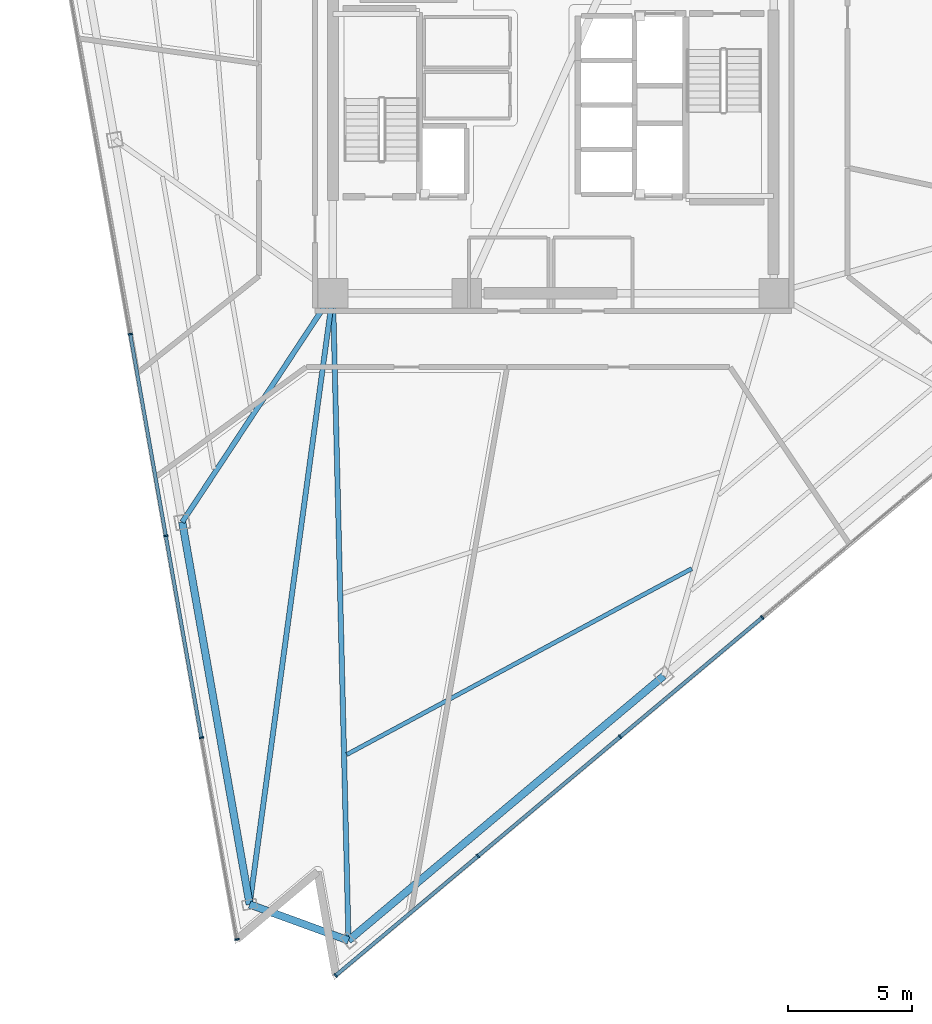
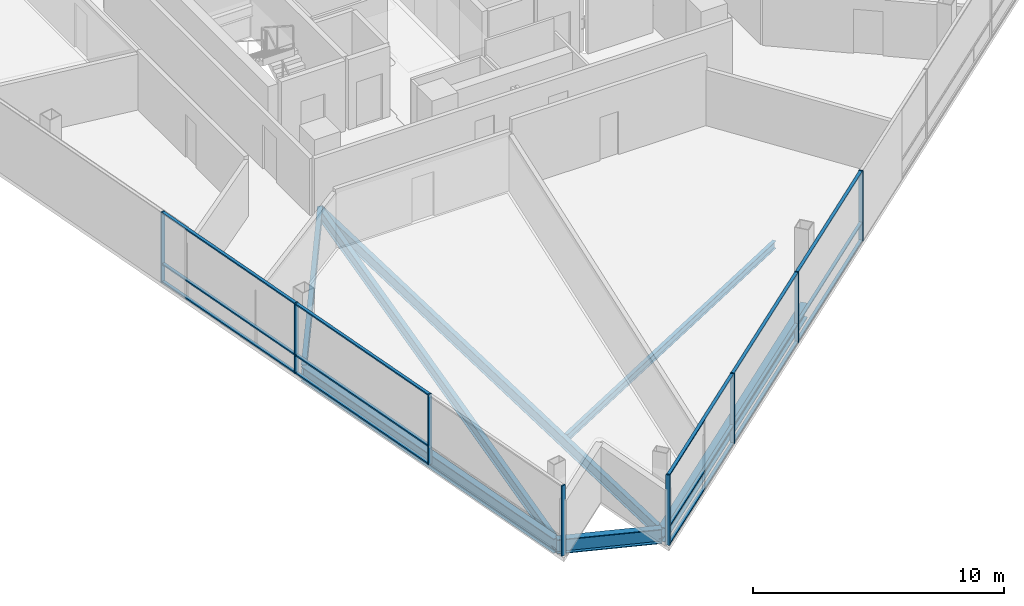
# One storey, part 2 of 16: 23 members, 7 beams, 2 elements without a shape of their own.
"""IFC4 building model written with IfcOpenShell, lengths in metres."""

import ifcopenshell
import ifcopenshell.guid

model = None  # the IFC model being written
_history = None  # IfcOwnerHistory: only IFC2X3 demands one
_inside = {}  # id of a spatial element -> (the spatial element, [elements in it])
_under = {}  # id of a project, library or spatial element -> (it, [spatial elements below it])
_declared = {}  # id of a project -> (the project, [libraries it declares])
_typed = {}  # id of a type object -> (the type object, [elements of that type])
_made_of = {}  # id of a material, layer set ... -> (it, [elements and type objects made of it])


def new_model(schema):
    """Start an empty IFC model of exactly this schema.

    Asked for "IFC4X3", IfcOpenShell would pick the latest addendum, in which some entities
    have other attributes; the version numbers below select the first issue.
    IFC2X3 requires an IfcOwnerHistory on every rooted entity: one is made here for all.
    """
    global model, _history
    if schema == "IFC4X3":
        model = ifcopenshell.file(schema_version=(4, 3, 0, 0))
    else:
        model = ifcopenshell.file(schema=schema)
    _inside.clear()
    _under.clear()
    _declared.clear()
    _typed.clear()
    _made_of.clear()
    _history = None
    if model.schema == "IFC2X3":
        org = make("IfcOrganization", Name="unknown")
        user = make(
            "IfcPersonAndOrganization",
            ThePerson=make("IfcPerson", FamilyName="unknown"),
            TheOrganization=org,
        )
        app = make(
            "IfcApplication",
            ApplicationDeveloper=org,
            Version="unknown",
            ApplicationFullName="unknown",
            ApplicationIdentifier="unknown",
        )
        _history = make(
            "IfcOwnerHistory",
            OwningUser=user,
            OwningApplication=app,
            ChangeAction="ADDED",
            CreationDate=0,
        )
    return model


def make(cls, **values):
    """One entity of the class cls with the attributes given. An attribute that is None is left unset."""
    return model.create_entity(
        cls, **{name: value for name, value in values.items() if value is not None}
    )


def rooted(cls, **values):
    """An entity with a GlobalId (a new one), such as an element, a storey or a relation."""
    return make(cls, GlobalId=ifcopenshell.guid.new(), OwnerHistory=_history, **values)


def si_unit(unit_type, name, prefix=None):
    """IfcSIUnit, for example si_unit("LENGTHUNIT", "METRE", prefix="MILLI")."""
    return make("IfcSIUnit", UnitType=unit_type, Prefix=prefix, Name=name)


def assignment(units):
    """IfcUnitAssignment: the units of a project."""
    return None if units is None else make("IfcUnitAssignment", Units=units)


def point(xyz):
    """IfcCartesianPoint."""
    return None if xyz is None else make("IfcCartesianPoint", Coordinates=xyz)


def direction(xyz):
    """IfcDirection."""
    return None if xyz is None else make("IfcDirection", DirectionRatios=xyz)


def frame(location, z_axis=None, x_axis=None):
    """IfcAxis2Placement3D, a coordinate frame: its origin and axes. An axis left out is left unset."""
    return make(
        "IfcAxis2Placement3D",
        Location=point(location),
        Axis=direction(z_axis),
        RefDirection=direction(x_axis),
    )


def frame_2d(location, x_axis=None):
    """IfcAxis2Placement2D, a coordinate frame in the plane: its origin and x axis."""
    return make(
        "IfcAxis2Placement2D", Location=point(location), RefDirection=direction(x_axis)
    )


def origin():
    """The frame at (0, 0, 0) with its axes left unset."""
    return frame((0.0, 0.0, 0.0))


def origin_2d():
    """The frame at (0, 0) in the plane with its x axis left unset."""
    return frame_2d((0.0, 0.0))


def place(relative_to, where):
    """IfcLocalPlacement: puts the frame where relative to a parent placement (None: the world)."""
    return make(
        "IfcLocalPlacement", PlacementRelTo=relative_to, RelativePlacement=where
    )


def context(
    kind, dimensions, precision=None, world=None, true_north=None, identifier=None
):
    """IfcGeometricRepresentationContext, for example the 3D "Model" context."""
    return make(
        "IfcGeometricRepresentationContext",
        ContextIdentifier=identifier,
        ContextType=kind,
        CoordinateSpaceDimension=dimensions,
        Precision=precision,
        WorldCoordinateSystem=world,
        TrueNorth=true_north,
    )


def subcontext(parent, identifier, kind, view, scale=None):
    """IfcGeometricRepresentationSubContext, for example "Body" below "Model"."""
    return make(
        "IfcGeometricRepresentationSubContext",
        ContextIdentifier=identifier,
        ContextType=kind,
        ParentContext=parent,
        TargetScale=scale,
        TargetView=view,
    )


def project(units=None, contexts=None):
    """IfcProject with its units and contexts."""
    return rooted(
        "IfcProject",
        Name="project",
        RepresentationContexts=contexts,
        UnitsInContext=assignment(units),
    )


def spatial(cls, under=None, at=None, **own):
    """A site, building, storey or space (cls), placed at a placement, below another one or the project."""
    s = rooted(cls, ObjectPlacement=at, **own)
    if under is not None:
        _under.setdefault(under.id(), (under, []))[1].append(s)
    return s


def profile(cls, at=None, kind="AREA", **sizes):
    """A parametric profile (cls). Its sizes go by their IFC names, for example OverallWidth=200.0."""
    return make(cls, ProfileType=kind, Position=at, **sizes)


def rectangle(**sizes):
    """IfcRectangleProfileDef."""
    return profile("IfcRectangleProfileDef", **sizes)


def i_section(**sizes):
    """IfcIShapeProfileDef."""
    return profile("IfcIShapeProfileDef", **sizes)


def extrude(swept, where, along, depth):
    """IfcExtrudedAreaSolid: the profile swept, set in the frame where, extruded along a direction by depth."""
    return make(
        "IfcExtrudedAreaSolid",
        SweptArea=swept,
        Position=where,
        ExtrudedDirection=direction(along),
        Depth=depth,
    )


def shape(context_of_items, identifier, shape_type, items):
    """IfcShapeRepresentation: the items that make up one representation, for example the "Body"."""
    return make(
        "IfcShapeRepresentation",
        ContextOfItems=context_of_items,
        RepresentationIdentifier=identifier,
        RepresentationType=shape_type,
        Items=items,
    )


def material(Name=None, Category=None):
    """IfcMaterial."""
    return make("IfcMaterial", Name=Name, Category=Category)


def layer(
    of_material, thickness, ventilated=None, Name=None, Category=None, Priority=None
):
    """IfcMaterialLayer: one layer of a wall or slab, of a material (None: an air gap)."""
    return make(
        "IfcMaterialLayer",
        Material=of_material,
        LayerThickness=thickness,
        IsVentilated=ventilated,
        Name=Name,
        Category=Category,
        Priority=Priority,
    )


def layer_set(layers, Name=None):
    """IfcMaterialLayerSet."""
    return make("IfcMaterialLayerSet", MaterialLayers=layers, LayerSetName=Name)


def material_profile(
    of_material, cross_section, Name=None, Category=None, Priority=None
):
    """IfcMaterialProfile: a cross section and its material."""
    return make(
        "IfcMaterialProfile",
        Name=Name,
        Material=of_material,
        Profile=cross_section,
        Priority=Priority,
        Category=Category,
    )


def profile_set(profiles, Name=None, composite=None):
    """IfcMaterialProfileSet."""
    return make(
        "IfcMaterialProfileSet",
        Name=Name,
        MaterialProfiles=profiles,
        CompositeProfile=composite,
    )


def made_of(thing, what):
    """Note that an element or type object is made of a material, layer set ...; save() writes the relation."""
    if what is not None:
        _made_of.setdefault(what.id(), (what, []))[1].append(thing)
    return thing


def type_object(cls, material=None, **own):
    """A type object (cls), such as IfcWallType, which elements share."""
    return made_of(rooted(cls, **own), material)


def element(
    cls,
    number,
    at=None,
    inside=None,
    cuts=None,
    type_object=None,
    material=None,
    context=None,
    identifier="Body",
    shape_type=None,
    held_by="IfcProductDefinitionShape",
    body=None,
    shapes=None,
    **own,
):
    """One element of the class cls, such as IfcWall. Its Tag is "e" and its number.

    at: its placement. inside: the storey or other place that contains it. cuts: it is an
    opening in that element (IfcRelVoidsElement). A single representation is given by context,
    identifier, shape_type and body (its items); several are given by shapes. held_by: the class
    of the entity that holds the representations. save() writes the other relations.
    """
    e = rooted(cls, Tag="e%d" % number, ObjectPlacement=at, **own)
    if body is not None:
        shapes = [shape(context, identifier, shape_type, body)]
    if shapes is not None:
        e.Representation = make(held_by, Representations=shapes)
    if inside is not None:
        _inside.setdefault(inside.id(), (inside, []))[1].append(e)
    if cuts is not None:
        rooted(
            "IfcRelVoidsElement", RelatingBuildingElement=cuts, RelatedOpeningElement=e
        )
    if type_object is not None:
        _typed.setdefault(type_object.id(), (type_object, []))[1].append(e)
    return made_of(e, material)


def aggregate(whole, parts):
    """IfcRelAggregates: a whole, such as a stair, and the parts it consists of."""
    return rooted("IfcRelAggregates", RelatingObject=whole, RelatedObjects=parts)


def save(model, path):
    """Write the relations noted so far, then the file.

    IfcRelAggregates (storeys below a building ...), IfcRelContainedInSpatialStructure (elements
    in a storey), IfcRelDefinesByType, IfcRelAssociatesMaterial and IfcRelDeclares: one each for
    every whole, place, type object, material and project.
    """
    for whole, parts in _under.values():
        aggregate(whole, parts)
    for where, things in _inside.values():
        rooted(
            "IfcRelContainedInSpatialStructure",
            RelatedElements=things,
            RelatingStructure=where,
        )
    for kind, things in _typed.values():
        rooted("IfcRelDefinesByType", RelatedObjects=things, RelatingType=kind)
    for what, things in _made_of.values():
        rooted("IfcRelAssociatesMaterial", RelatedObjects=things, RelatingMaterial=what)
    for by, libraries in _declared.values():
        rooted("IfcRelDeclares", RelatingContext=by, RelatedDefinitions=libraries)
    model.write(path)


model = new_model("IFC4")

# Units and contexts
model_context = context("Model", 3, precision=1e-05, world=origin(), true_north=direction((0.0, 1.0)))
body_context = subcontext(model_context, "Body", "Model", "MODEL_VIEW")
ifc_project = project(units=[si_unit("LENGTHUNIT", "METRE"), si_unit("AREAUNIT", "SQUARE_METRE"), si_unit("VOLUMEUNIT", "CUBIC_METRE"), si_unit("PLANEANGLEUNIT", "RADIAN"), si_unit("MASSUNIT", "GRAM", prefix="KILO")], contexts=[model_context])

# Site, building, storey
site_placement = place(None, origin())
site = spatial("IfcSite", under=ifc_project, at=site_placement, CompositionType="ELEMENT")
building_placement = place(site_placement, origin())
building = spatial("IfcBuilding", under=site, at=building_placement, Name="Tharavind Bronze Gate", CompositionType="ELEMENT")
storey_placement = place(building_placement, frame((0.0, 0.0, 181.300048828125)))
storey = spatial("IfcBuildingStorey", under=building, at=storey_placement, Name="L46", CompositionType="ELEMENT", Elevation=181.300048828125)

# Curtain wall, members
ifc_material_1 = material(Name="Anodised Bronze Aluminium", Category="aluminium")
ifc_layer = layer(ifc_material_1, 0.219970703125)
ifc_layer_set = layer_set([ifc_layer], Name="Anodised Bronze Aluminium")
curtain_wall_type = type_object("IfcCurtainWallType", Name="UNITISED CURTAIN WALL MID OFFICE", PredefinedType="USERDEFINED", material=ifc_layer_set)
curtain_wall_1_placement = place(storey_placement, origin())
curtain_wall_1 = element("IfcCurtainWall", 1, at=curtain_wall_1_placement, inside=storey, type_object=curtain_wall_type, Name="L46 unitised curtain wall mid office CW-L46-S1", ObjectType="UNITISED CURTAIN WALL", PredefinedType="USERDEFINED")
member_type_1 = type_object("IfcMemberType", Name="CURTAIN WALL BRONZE MULLION 65X180", PredefinedType="MULLION", material=ifc_material_1)
member_1_placement = place(storey_placement, frame((-17.086669921875, -9.250732421875, 0.0), z_axis=(0.0, 0.0, 1.0), x_axis=(0.173648177667, -0.984807753012, 0.0)))
member_1 = element("IfcMember", 2, at=member_1_placement, type_object=member_type_1, Name="CW-L46-S1 mullion 4", PredefinedType="MULLION", context=body_context, shape_type="SweptSolid", body=[
    extrude(rectangle(XDim=0.06494140625, YDim=0.179931640625, at=origin_2d()), origin(), (0.0, 0.0, 1.0), 3.419921875),
])
member_2_placement = place(storey_placement, frame((-15.650146484375, -17.3984375, 0.0), z_axis=(0.0, 0.0, 1.0), x_axis=(0.173648177667, -0.984807753012, 0.0)))
member_2 = element("IfcMember", 3, at=member_2_placement, type_object=member_type_1, Name="CW-L46-S1 mullion 5", PredefinedType="MULLION", context=body_context, shape_type="SweptSolid", body=[
    extrude(rectangle(XDim=0.06494140625, YDim=0.179931640625, at=origin_2d()), origin(), (0.0, 0.0, 1.0), 3.419921875),
])
member_3_placement = place(storey_placement, frame((-14.21337890625, -25.546142578125, 0.0), z_axis=(0.0, 0.0, 1.0), x_axis=(0.173648177667, -0.984807753012, 0.0)))
member_3 = element("IfcMember", 4, at=member_3_placement, type_object=member_type_1, Name="CW-L46-S1 mullion 6", PredefinedType="MULLION", context=body_context, shape_type="SweptSolid", body=[
    extrude(rectangle(XDim=0.06494140625, YDim=0.179931640625, at=origin_2d()), origin(), (0.0, 0.0, 1.0), 3.419921875),
])
member_4_placement = place(storey_placement, frame((-12.77685546875, -33.69384765625, 0.0), z_axis=(0.0, 0.0, 1.0), x_axis=(0.173648177667, -0.984807753012, 0.0)))
member_4 = element("IfcMember", 5, at=member_4_placement, type_object=member_type_1, Name="CW-L46-S1 mullion 7", PredefinedType="MULLION", context=body_context, shape_type="SweptSolid", body=[
    extrude(rectangle(XDim=0.06494140625, YDim=0.179931640625, at=origin_2d()), origin(), (0.0, 0.0, 1.0), 3.419921875),
])

curtain_wall_2_placement = place(storey_placement, origin())
curtain_wall_2 = element("IfcCurtainWall", 6, at=curtain_wall_2_placement, inside=storey, type_object=curtain_wall_type, Name="L46 unitised curtain wall mid office CW-L46-S2", ObjectType="UNITISED CURTAIN WALL", PredefinedType="USERDEFINED")
member_5_placement = place(storey_placement, frame((-8.784912109375, -35.146728515625, 0.0), z_axis=(0.0, 0.0, 1.0), x_axis=(0.766043321242, 0.642788946685, 0.0)))
member_5 = element("IfcMember", 7, at=member_5_placement, type_object=member_type_1, Name="CW-L46-S2 mullion 1", PredefinedType="MULLION", context=body_context, shape_type="SweptSolid", body=[
    extrude(rectangle(XDim=0.06494140625, YDim=0.179931640625, at=origin_2d()), origin(), (0.0, 0.0, 1.0), 3.419921875),
])
member_6_placement = place(storey_placement, frame((-3.042724609375, -30.328369140625, 0.0), z_axis=(0.0, 0.0, 1.0), x_axis=(0.766043321242, 0.642788946685, 0.0)))
member_6 = element("IfcMember", 8, at=member_6_placement, type_object=member_type_1, Name="CW-L46-S2 mullion 2", PredefinedType="MULLION", context=body_context, shape_type="SweptSolid", body=[
    extrude(rectangle(XDim=0.06494140625, YDim=0.179931640625, at=origin_2d()), origin(), (0.0, 0.0, 1.0), 3.419921875),
])
member_7_placement = place(storey_placement, frame((2.69970703125, -25.510009765625, 0.0), z_axis=(0.0, 0.0, 1.0), x_axis=(0.766043321242, 0.642788946685, 0.0)))
member_7 = element("IfcMember", 9, at=member_7_placement, type_object=member_type_1, Name="CW-L46-S2 mullion 3", PredefinedType="MULLION", context=body_context, shape_type="SweptSolid", body=[
    extrude(rectangle(XDim=0.06494140625, YDim=0.179931640625, at=origin_2d()), origin(), (0.0, 0.0, 1.0), 3.419921875),
])
member_8_placement = place(storey_placement, frame((8.44189453125, -20.691650390625, 0.0), z_axis=(0.0, 0.0, 1.0), x_axis=(0.766043321242, 0.642788946685, 0.0)))
member_8 = element("IfcMember", 10, at=member_8_placement, type_object=member_type_1, Name="CW-L46-S2 mullion 4", PredefinedType="MULLION", context=body_context, shape_type="SweptSolid", body=[
    extrude(rectangle(XDim=0.06494140625, YDim=0.179931640625, at=origin_2d()), origin(), (0.0, 0.0, 1.0), 3.419921875),
])

# Member
member_type_2 = type_object("IfcMemberType", Name="CURTAIN WALL BRONZE TRANSOM 65X140", PredefinedType="USERDEFINED", material=ifc_material_1)
member_9_placement = place(storey_placement, frame((-16.368408203125, -13.32470703125, 0.0), z_axis=(0.0, 0.0, 1.0), x_axis=(0.173648177667, -0.984807753012, 0.0)))
member_9 = element("IfcMember", 11, at=member_9_placement, type_object=member_type_2, Name="CW-L46-S1 transom TB4", ObjectType="TRANSOM", PredefinedType="USERDEFINED", context=body_context, shape_type="SweptSolid", body=[
    extrude(rectangle(XDim=8.220458984375, YDim=0.139892578125, at=origin_2d()), origin(), (0.0, 0.0, 1.0), 0.06494140625),
])

member_10_placement = place(storey_placement, frame((-16.368408203125, -13.32470703125, 0.867431640625), z_axis=(0.0, 0.0, 1.0), x_axis=(0.173648177667, -0.984807753012, 0.0)))
member_10 = element("IfcMember", 12, at=member_10_placement, type_object=member_type_2, Name="CW-L46-S1 transom TS4", ObjectType="TRANSOM", PredefinedType="USERDEFINED", context=body_context, shape_type="SweptSolid", body=[
    extrude(rectangle(XDim=8.220458984375, YDim=0.139892578125, at=origin_2d()), origin(), (0.0, 0.0, 1.0), 0.06494140625),
])

member_11_placement = place(storey_placement, frame((-16.368408203125, -13.32470703125, 3.35498046875), z_axis=(0.0, 0.0, 1.0), x_axis=(0.173648177667, -0.984807753012, 0.0)))
member_11 = element("IfcMember", 13, at=member_11_placement, type_object=member_type_2, Name="CW-L46-S1 transom TT4", ObjectType="TRANSOM", PredefinedType="USERDEFINED", context=body_context, shape_type="SweptSolid", body=[
    extrude(rectangle(XDim=8.220458984375, YDim=0.139892578125, at=origin_2d()), origin(), (0.0, 0.0, 1.0), 0.06494140625),
])

member_12_placement = place(storey_placement, frame((-14.931884765625, -21.472412109375, 0.0), z_axis=(0.0, 0.0, 1.0), x_axis=(0.173648177667, -0.984807753012, 0.0)))
member_12 = element("IfcMember", 14, at=member_12_placement, type_object=member_type_2, Name="CW-L46-S1 transom TB5", ObjectType="TRANSOM", PredefinedType="USERDEFINED", context=body_context, shape_type="SweptSolid", body=[
    extrude(rectangle(XDim=8.220458984375, YDim=0.139892578125, at=origin_2d()), origin(), (0.0, 0.0, 1.0), 0.06494140625),
])

member_13_placement = place(storey_placement, frame((-14.931884765625, -21.472412109375, 0.867431640625), z_axis=(0.0, 0.0, 1.0), x_axis=(0.173648177667, -0.984807753012, 0.0)))
member_13 = element("IfcMember", 15, at=member_13_placement, type_object=member_type_2, Name="CW-L46-S1 transom TS5", ObjectType="TRANSOM", PredefinedType="USERDEFINED", context=body_context, shape_type="SweptSolid", body=[
    extrude(rectangle(XDim=8.220458984375, YDim=0.139892578125, at=origin_2d()), origin(), (0.0, 0.0, 1.0), 0.06494140625),
])

member_14_placement = place(storey_placement, frame((-14.931884765625, -21.472412109375, 3.35498046875), z_axis=(0.0, 0.0, 1.0), x_axis=(0.173648177667, -0.984807753012, 0.0)))
member_14 = element("IfcMember", 16, at=member_14_placement, type_object=member_type_2, Name="CW-L46-S1 transom TT5", ObjectType="TRANSOM", PredefinedType="USERDEFINED", context=body_context, shape_type="SweptSolid", body=[
    extrude(rectangle(XDim=8.220458984375, YDim=0.139892578125, at=origin_2d()), origin(), (0.0, 0.0, 1.0), 0.06494140625),
])

aggregate(curtain_wall_1, [member_1, member_2, member_3, member_4, member_9, member_10, member_11, member_12, member_13, member_14])

member_15_placement = place(storey_placement, frame((-5.913818359375, -32.737548828125, 0.0), z_axis=(0.0, 0.0, 1.0), x_axis=(0.766043321242, 0.642788946685, 0.0)))
member_15 = element("IfcMember", 17, at=member_15_placement, type_object=member_type_2, Name="CW-L46-S2 transom TB1", ObjectType="TRANSOM", PredefinedType="USERDEFINED", context=body_context, shape_type="SweptSolid", body=[
    extrude(rectangle(XDim=7.443115234375, YDim=0.139892578125, at=origin_2d()), origin(), (0.0, 0.0, 1.0), 0.06494140625),
])

member_16_placement = place(storey_placement, frame((-5.913818359375, -32.737548828125, 0.867431640625), z_axis=(0.0, 0.0, 1.0), x_axis=(0.766043321242, 0.642788946685, 0.0)))
member_16 = element("IfcMember", 18, at=member_16_placement, type_object=member_type_2, Name="CW-L46-S2 transom TS1", ObjectType="TRANSOM", PredefinedType="USERDEFINED", context=body_context, shape_type="SweptSolid", body=[
    extrude(rectangle(XDim=7.443115234375, YDim=0.139892578125, at=origin_2d()), origin(), (0.0, 0.0, 1.0), 0.06494140625),
])

member_17_placement = place(storey_placement, frame((-5.913818359375, -32.737548828125, 3.35498046875), z_axis=(0.0, 0.0, 1.0), x_axis=(0.766043321242, 0.642788946685, 0.0)))
member_17 = element("IfcMember", 19, at=member_17_placement, type_object=member_type_2, Name="CW-L46-S2 transom TT1", ObjectType="TRANSOM", PredefinedType="USERDEFINED", context=body_context, shape_type="SweptSolid", body=[
    extrude(rectangle(XDim=7.443115234375, YDim=0.139892578125, at=origin_2d()), origin(), (0.0, 0.0, 1.0), 0.06494140625),
])

member_18_placement = place(storey_placement, frame((-0.171630859375, -27.919189453125, 0.0), z_axis=(0.0, 0.0, 1.0), x_axis=(0.766043321242, 0.642788946685, 0.0)))
member_18 = element("IfcMember", 20, at=member_18_placement, type_object=member_type_2, Name="CW-L46-S2 transom TB2", ObjectType="TRANSOM", PredefinedType="USERDEFINED", context=body_context, shape_type="SweptSolid", body=[
    extrude(rectangle(XDim=7.443115234375, YDim=0.139892578125, at=origin_2d()), origin(), (0.0, 0.0, 1.0), 0.06494140625),
])

member_19_placement = place(storey_placement, frame((-0.171630859375, -27.919189453125, 0.867431640625), z_axis=(0.0, 0.0, 1.0), x_axis=(0.766043321242, 0.642788946685, 0.0)))
member_19 = element("IfcMember", 21, at=member_19_placement, type_object=member_type_2, Name="CW-L46-S2 transom TS2", ObjectType="TRANSOM", PredefinedType="USERDEFINED", context=body_context, shape_type="SweptSolid", body=[
    extrude(rectangle(XDim=7.443115234375, YDim=0.139892578125, at=origin_2d()), origin(), (0.0, 0.0, 1.0), 0.06494140625),
])

member_20_placement = place(storey_placement, frame((-0.171630859375, -27.919189453125, 3.35498046875), z_axis=(0.0, 0.0, 1.0), x_axis=(0.766043321242, 0.642788946685, 0.0)))
member_20 = element("IfcMember", 22, at=member_20_placement, type_object=member_type_2, Name="CW-L46-S2 transom TT2", ObjectType="TRANSOM", PredefinedType="USERDEFINED", context=body_context, shape_type="SweptSolid", body=[
    extrude(rectangle(XDim=7.443115234375, YDim=0.139892578125, at=origin_2d()), origin(), (0.0, 0.0, 1.0), 0.06494140625),
])

member_21_placement = place(storey_placement, frame((5.57080078125, -23.100830078125, 0.0), z_axis=(0.0, 0.0, 1.0), x_axis=(0.766043321242, 0.642788946685, 0.0)))
member_21 = element("IfcMember", 23, at=member_21_placement, type_object=member_type_2, Name="CW-L46-S2 transom TB3", ObjectType="TRANSOM", PredefinedType="USERDEFINED", context=body_context, shape_type="SweptSolid", body=[
    extrude(rectangle(XDim=7.443115234375, YDim=0.139892578125, at=origin_2d()), origin(), (0.0, 0.0, 1.0), 0.06494140625),
])

member_22_placement = place(storey_placement, frame((5.57080078125, -23.100830078125, 0.867431640625), z_axis=(0.0, 0.0, 1.0), x_axis=(0.766043321242, 0.642788946685, 0.0)))
member_22 = element("IfcMember", 24, at=member_22_placement, type_object=member_type_2, Name="CW-L46-S2 transom TS3", ObjectType="TRANSOM", PredefinedType="USERDEFINED", context=body_context, shape_type="SweptSolid", body=[
    extrude(rectangle(XDim=7.443115234375, YDim=0.139892578125, at=origin_2d()), origin(), (0.0, 0.0, 1.0), 0.06494140625),
])

member_23_placement = place(storey_placement, frame((5.57080078125, -23.100830078125, 3.35498046875), z_axis=(0.0, 0.0, 1.0), x_axis=(0.766043321242, 0.642788946685, 0.0)))
member_23 = element("IfcMember", 25, at=member_23_placement, type_object=member_type_2, Name="CW-L46-S2 transom TT3", ObjectType="TRANSOM", PredefinedType="USERDEFINED", context=body_context, shape_type="SweptSolid", body=[
    extrude(rectangle(XDim=7.443115234375, YDim=0.139892578125, at=origin_2d()), origin(), (0.0, 0.0, 1.0), 0.06494140625),
])

aggregate(curtain_wall_2, [member_5, member_6, member_7, member_8, member_15, member_16, member_17, member_18, member_19, member_20, member_21, member_22, member_23])

# Beams
ifc_material_2 = material(Name="Steel S355", Category="steel")
ifc_material_profile_1 = material_profile(ifc_material_2, i_section(OverallWidth=0.2099609375, OverallDepth=0.550048828125, WebThickness=0.010986328125, FlangeThickness=0.01708984375, at=origin_2d()), Name="IPE550")
ifc_profile_set_1 = profile_set([ifc_material_profile_1], Name="Steel S355")
beam_type_1 = type_object("IfcBeamType", Name="PRIMARY GIRDER IPE550", PredefinedType="USERDEFINED", material=ifc_profile_set_1)
beam_1_placement = place(storey_placement, frame((-14.98681640625, -16.841796875, -0.455078125), z_axis=(0.550048368659, 0.835132799102, 0.0), x_axis=(-0.835132799102, 0.550048368659, 0.0)))
element("IfcBeam", 26, at=beam_1_placement, inside=storey, type_object=beam_type_1, Name="L46 primary girder ipe550 BM-L46-RAD03", ObjectType="GIRDER", PredefinedType="USERDEFINED", context=body_context, shape_type="SweptSolid", body=[
    extrude(i_section(OverallWidth=0.2099609375, OverallDepth=0.550048828125, WebThickness=0.010986328125, FlangeThickness=0.01708984375, at=origin_2d()), origin(), (0.0, 0.0, 1.0), 11.066162109375),
])
beam_2_placement = place(storey_placement, frame((-12.263916015625, -32.2841796875, -0.455078125), z_axis=(0.135034486087, 0.99084089922, 0.0), x_axis=(-0.99084089922, 0.135034486087, 0.0)))
element("IfcBeam", 27, at=beam_2_placement, inside=storey, type_object=beam_type_1, Name="L46 primary girder ipe550 BM-L46-RAD04", ObjectType="GIRDER", PredefinedType="USERDEFINED", context=body_context, shape_type="SweptSolid", body=[
    extrude(i_section(OverallWidth=0.2099609375, OverallDepth=0.550048828125, WebThickness=0.010986328125, FlangeThickness=0.01708984375, at=origin_2d()), origin(), (0.0, 0.0, 1.0), 24.912353515625),
])
beam_3_placement = place(storey_placement, frame((-8.27197265625, -33.737060546875, -0.455078125), z_axis=(-0.024017654771, 0.999711534523, 0.0), x_axis=(-0.999711534523, -0.024017654771, 0.0)))
element("IfcBeam", 28, at=beam_3_placement, inside=storey, type_object=beam_type_1, Name="L46 primary girder ipe550 BM-L46-RAD05", ObjectType="GIRDER", PredefinedType="USERDEFINED", context=body_context, shape_type="SweptSolid", body=[
    extrude(i_section(OverallWidth=0.2099609375, OverallDepth=0.550048828125, WebThickness=0.010986328125, FlangeThickness=0.01708984375, at=origin_2d()), origin(), (0.0, 0.0, 1.0), 26.14453125),
])
ifc_material_profile_2 = material_profile(ifc_material_2, i_section(OverallWidth=0.300048828125, OverallDepth=0.699951171875, WebThickness=0.01708984375, FlangeThickness=0.031982421875, at=origin_2d()), Name="HE700B")
ifc_profile_set_2 = profile_set([ifc_material_profile_2], Name="Steel S355")
beam_type_2 = type_object("IfcBeamType", Name="RING GIRDER HE700B", PredefinedType="USERDEFINED", material=ifc_profile_set_2)
beam_4_placement = place(storey_placement, frame((-14.98681640625, -16.841796875, -0.530029296875), z_axis=(0.173647661488, -0.984807844028, 0.0), x_axis=(0.984807844028, 0.173647661488, 0.0)))
element("IfcBeam", 29, at=beam_4_placement, inside=storey, type_object=beam_type_2, Name="L46 ring girder he700b BM-L46-PRG03", ObjectType="GIRDER", PredefinedType="USERDEFINED", context=body_context, shape_type="SweptSolid", body=[
    extrude(i_section(OverallWidth=0.300048828125, OverallDepth=0.699951171875, WebThickness=0.01708984375, FlangeThickness=0.031982421875, at=origin_2d()), origin(), (0.0, 0.0, 1.0), 15.6806640625),
])
beam_5_placement = place(storey_placement, frame((-12.263916015625, -32.2841796875, -0.530029296875), z_axis=(0.939697742591, -0.342006070953, 0.0), x_axis=(0.342006070953, 0.939697742591, 0.0)))
element("IfcBeam", 30, at=beam_5_placement, inside=storey, type_object=beam_type_2, Name="L46 ring girder he700b BM-L46-PRG04", ObjectType="GIRDER", PredefinedType="USERDEFINED", context=body_context, shape_type="SweptSolid", body=[
    extrude(i_section(OverallWidth=0.300048828125, OverallDepth=0.699951171875, WebThickness=0.01708984375, FlangeThickness=0.031982421875, at=origin_2d()), origin(), (0.0, 0.0, 1.0), 4.248046875),
])
beam_6_placement = place(storey_placement, frame((-8.27197265625, -33.737060546875, -0.530029296875), z_axis=(0.766042947444, 0.642789392159, 0.0), x_axis=(-0.642789392159, 0.766042947444, 0.0)))
element("IfcBeam", 31, at=beam_6_placement, inside=storey, type_object=beam_type_2, Name="L46 ring girder he700b BM-L46-PRG05", ObjectType="GIRDER", PredefinedType="USERDEFINED", context=body_context, shape_type="SweptSolid", body=[
    extrude(i_section(OverallWidth=0.300048828125, OverallDepth=0.699951171875, WebThickness=0.01708984375, FlangeThickness=0.031982421875, at=origin_2d()), origin(), (0.0, 0.0, 1.0), 16.624755859375),
])
ifc_material_profile_3 = material_profile(ifc_material_2, i_section(OverallWidth=0.169921875, OverallDepth=0.360107421875, WebThickness=0.008056640625, FlangeThickness=0.0126953125, at=origin_2d()), Name="IPE360")
ifc_profile_set_3 = profile_set([ifc_material_profile_3], Name="Steel S355")
beam_type_3 = type_object("IfcBeamType", Name="SECONDARY FLOOR JOIST IPE360", PredefinedType="JOIST", material=ifc_profile_set_3)
beam_7_placement = place(storey_placement, frame((-8.34375, -26.230224609375, -0.360107421875), z_axis=(0.880319056921, 0.474382080207, 0.0), x_axis=(-0.474382080207, 0.880319056921, 0.0)))
element("IfcBeam", 32, at=beam_7_placement, inside=storey, type_object=beam_type_3, Name="L46 secondary floor joist ipe360 BM-L46-JSTB05", PredefinedType="JOIST", context=body_context, shape_type="SweptSolid", body=[
    extrude(i_section(OverallWidth=0.169921875, OverallDepth=0.360107421875, WebThickness=0.008056640625, FlangeThickness=0.0126953125, at=origin_2d()), origin(), (0.0, 0.0, 1.0), 15.833740234375),
])

save(model, "model.ifc")
